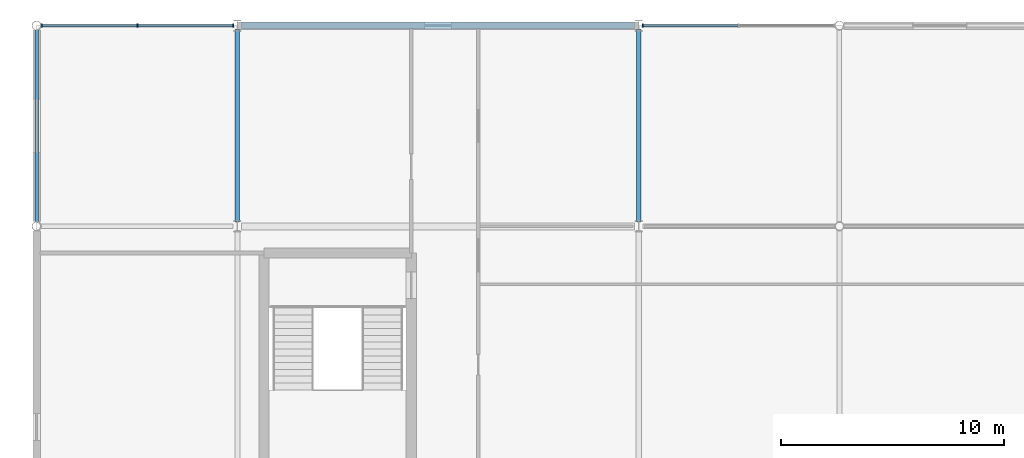
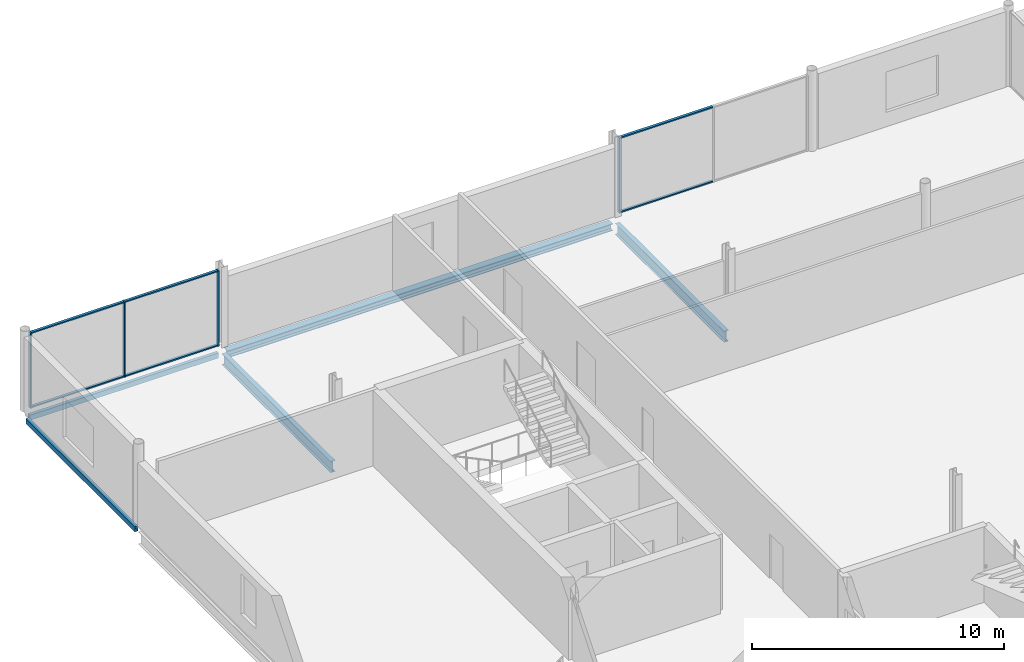
# One storey, part 33 of 96: 10 members, 5 beams, 2 elements without a shape of their own.
"""IFC4 building model written with IfcOpenShell, lengths in metres."""

from ifc_helpers import new_model, si_unit, direction, frame, origin, origin_2d, place, context, subcontext, project, spatial, rectangle, hollow_rectangle, i_section, extrude, material, layer, layer_set, material_profile, profile_set, type_object, element, aggregate, save


model = new_model("IFC4")

# Units and contexts
model_context = context("Model", 3, precision=1e-05, world=origin(), true_north=direction((0.0, 1.0)))
body_context = subcontext(model_context, "Body", "Model", "MODEL_VIEW")
ifc_project = project(units=[si_unit("LENGTHUNIT", "METRE"), si_unit("AREAUNIT", "SQUARE_METRE"), si_unit("VOLUMEUNIT", "CUBIC_METRE"), si_unit("PLANEANGLEUNIT", "RADIAN"), si_unit("MASSUNIT", "GRAM", prefix="KILO")], contexts=[model_context])

# Site, building, storey
site_placement = place(None, origin())
site = spatial("IfcSite", under=ifc_project, at=site_placement, CompositionType="ELEMENT")
building_placement = place(site_placement, origin())
building = spatial("IfcBuilding", under=site, at=building_placement, Name="Kisiwana Market Hall", CompositionType="ELEMENT")
storey_placement = place(building_placement, frame((0.0, 0.0, 25.5)))
storey = spatial("IfcBuildingStorey", under=building, at=storey_placement, Name="L05", CompositionType="ELEMENT", Elevation=25.5)

# Beams
ifc_material_1 = material(Name="Steel S355", Category="steel")
ifc_material_profile_1 = material_profile(ifc_material_1, i_section(OverallWidth=0.209228515625, OverallDepth=0.533203125, WebThickness=0.010009765625, FlangeThickness=0.015625, at=origin_2d()), Name="UB 533x210x92")
ifc_profile_set_1 = profile_set([ifc_material_profile_1], Name="Steel S355")
beam_type_1 = type_object("IfcBeamType", Name="BM-GIRD-UB533", PredefinedType="BEAM", material=ifc_profile_set_1)
for number, where, z_axis, x_axis, name in (
    (1, (9.0, 102.1865234375, -0.58154296875), (0.0, 1.0, 0.0), (-1.0, 0.0, 0.0), "Primary girder B-1526"),
    (2, (27.0, 102.1865234375, -0.58154296875), (0.0, 1.0, 0.0), (-1.0, 0.0, 0.0), "Primary girder B-1530"),
):
    element("IfcBeam", number, at=place(storey_placement, frame(where, z_axis=z_axis, x_axis=x_axis)), inside=storey, type_object=beam_type_1, Name=name, PredefinedType="BEAM", context=body_context, shape_type="SweptSolid", body=[
        extrude(i_section(OverallWidth=0.209228515625, OverallDepth=0.533203125, WebThickness=0.010009765625, FlangeThickness=0.015625, at=origin_2d()), origin(), (0.0, 0.0, 1.0), 8.626953125),
    ])
ifc_material_2 = material(Name="Steel S355", Category="steel")
ifc_material_profile_2 = material_profile(ifc_material_2, i_section(OverallWidth=0.314453125, OverallDepth=0.33984375, WebThickness=0.01904296875, FlangeThickness=0.031494140625, at=origin_2d()), Name="UC 305x305x198")
ifc_profile_set_2 = profile_set([ifc_material_profile_2], Name="Steel S355")
beam_type_2 = type_object("IfcBeamType", Name="BM-SKYBR-CHORD", PredefinedType="BEAM", material=ifc_profile_set_2)
beam_1_placement = place(storey_placement, frame((9.193359375, 111.0, -0.48486328125), z_axis=(1.0, 0.0, 0.0), x_axis=(0.0, 1.0, 0.0)))
element("IfcBeam", 3, at=beam_1_placement, inside=storey, type_object=beam_type_2, Name="Floor beam B-1662", PredefinedType="BEAM", context=body_context, shape_type="SweptSolid", body=[
    extrude(i_section(OverallWidth=0.314453125, OverallDepth=0.33984375, WebThickness=0.01904296875, FlangeThickness=0.031494140625, at=origin_2d()), origin(), (0.0, 0.0, 1.0), 17.61328125),
])
ifc_material_3 = material(Name="Steel S355", Category="steel")
ifc_material_profile_3 = material_profile(ifc_material_3, hollow_rectangle(XDim=0.14990234375, YDim=0.25, WallThickness=0.010009765625, at=origin_2d()), Name="RHS 250x150x10.0")
ifc_profile_set_3 = profile_set([ifc_material_profile_3], Name="Steel S355")
beam_type_3 = type_object("IfcBeamType", Name="BM-SPAN-RHS250", PredefinedType="SPANDREL", material=ifc_profile_set_3)
beam_2_placement = place(storey_placement, frame((0.182373046875, 111.0, -0.43994140625), z_axis=(1.0, 0.0, 0.0), x_axis=(0.0, 1.0, 0.0)))
element("IfcBeam", 4, at=beam_2_placement, inside=storey, type_object=beam_type_3, Name="Floor beam B-1661", PredefinedType="SPANDREL", context=body_context, shape_type="SweptSolid", body=[
    extrude(hollow_rectangle(XDim=0.14990234375, YDim=0.25, WallThickness=0.010009765625, at=origin_2d()), origin(), (0.0, 0.0, 1.0), 8.624267578125),
])
beam_3_placement = place(storey_placement, frame((0.0, 102.18017578125, -0.43994140625), z_axis=(0.0, 1.0, 0.0), x_axis=(-1.0, 0.0, 0.0)))
element("IfcBeam", 5, at=beam_3_placement, inside=storey, type_object=beam_type_3, Name="Floor beam B-1674", PredefinedType="SPANDREL", context=body_context, shape_type="SweptSolid", body=[
    extrude(hollow_rectangle(XDim=0.14990234375, YDim=0.25, WallThickness=0.010009765625, at=origin_2d()), origin(), (0.0, 0.0, 1.0), 8.6396484375),
])

# Curtain wall, members
ifc_material_4 = material(Name="Double-glazed solar-control low-E IGU", Category="glass")
ifc_layer = layer(ifc_material_4, 0.159912109375)
ifc_layer_set = layer_set([ifc_layer], Name="CW-ZNA-EW-8200")
curtain_wall_type = type_object("IfcCurtainWallType", Name="CW-ZNA-EW-8200", PredefinedType="USERDEFINED", material=ifc_layer_set)
curtain_wall_1_placement = place(storey_placement, origin())
curtain_wall_1 = element("IfcCurtainWall", 6, at=curtain_wall_1_placement, inside=storey, type_object=curtain_wall_type, Name="Unitised curtain wall CW-156 (L05)", ObjectType="UNITISED CURTAIN WALL", PredefinedType="USERDEFINED")
ifc_material_5 = material(Name="Aluminium alloy 6063-T6", Category="aluminium")
ifc_material_profile_4 = material_profile(ifc_material_5, rectangle(XDim=0.06005859375, YDim=0.159912109375, at=origin_2d()), Name="ALU MULLION 60x160")
ifc_profile_set_4 = profile_set([ifc_material_profile_4], Name="Aluminium alloy 6063-T6")
member_type_1 = type_object("IfcMemberType", Name="CW-MULL-60x160", PredefinedType="MULLION", material=ifc_profile_set_4)
member_1_placement = place(storey_placement, frame((0.233154296875, 111.0, 0.0), z_axis=(0.0, 0.0, 1.0), x_axis=(1.0, 0.0, 0.0)))
member_1 = element("IfcMember", 7, at=member_1_placement, type_object=member_type_1, Name="CW-156 mullion 1", PredefinedType="MULLION", context=body_context, shape_type="SweptSolid", body=[
    extrude(rectangle(XDim=0.06005859375, YDim=0.159912109375, at=origin_2d()), origin(), (0.0, 0.0, 1.0), 3.655029296875),
])
member_2_placement = place(storey_placement, frame((4.526611328125, 111.0, 0.0), z_axis=(0.0, 0.0, 1.0), x_axis=(1.0, 0.0, 0.0)))
member_2 = element("IfcMember", 8, at=member_2_placement, type_object=member_type_1, Name="CW-156 mullion 2", PredefinedType="MULLION", context=body_context, shape_type="SweptSolid", body=[
    extrude(rectangle(XDim=0.06005859375, YDim=0.159912109375, at=origin_2d()), origin(), (0.0, 0.0, 1.0), 3.655029296875),
])
member_3_placement = place(storey_placement, frame((8.820068359375, 111.0, 0.0), z_axis=(0.0, 0.0, 1.0), x_axis=(1.0, 0.0, 0.0)))
member_3 = element("IfcMember", 9, at=member_3_placement, type_object=member_type_1, Name="CW-156 mullion 3", PredefinedType="MULLION", context=body_context, shape_type="SweptSolid", body=[
    extrude(rectangle(XDim=0.06005859375, YDim=0.159912109375, at=origin_2d()), origin(), (0.0, 0.0, 1.0), 3.655029296875),
])

# Curtain wall, member
curtain_wall_2_placement = place(storey_placement, origin())
curtain_wall_2 = element("IfcCurtainWall", 10, at=curtain_wall_2_placement, inside=storey, type_object=curtain_wall_type, Name="Unitised curtain wall CW-157 (L05)", ObjectType="UNITISED CURTAIN WALL", PredefinedType="USERDEFINED")
member_4_placement = place(storey_placement, frame((27.179931640625, 111.0, 0.0), z_axis=(0.0, 0.0, 1.0), x_axis=(1.0, 0.0, 0.0)))
member_4 = element("IfcMember", 11, at=member_4_placement, type_object=member_type_1, Name="CW-157 mullion 1", PredefinedType="MULLION", context=body_context, shape_type="SweptSolid", body=[
    extrude(rectangle(XDim=0.06005859375, YDim=0.159912109375, at=origin_2d()), origin(), (0.0, 0.0, 1.0), 3.655029296875),
])

# Member
ifc_material_6 = material(Name="Aluminium alloy 6063-T6", Category="aluminium")
ifc_material_profile_5 = material_profile(ifc_material_6, rectangle(XDim=0.1201171875, YDim=0.06005859375, at=origin_2d()), Name="ALU TRANSOM 60x120")
ifc_profile_set_5 = profile_set([ifc_material_profile_5], Name="Aluminium alloy 6063-T6")
member_type_2 = type_object("IfcMemberType", Name="CW-TRAN-60x120", PredefinedType="USERDEFINED", material=ifc_profile_set_5)
member_5_placement = place(storey_placement, frame((0.26318359375, 111.0, 0.030029296875), z_axis=(1.0, 0.0, 0.0), x_axis=(0.0, 1.0, 0.0)))
member_5 = element("IfcMember", 12, at=member_5_placement, type_object=member_type_2, Name="CW-156 transom 1.1", ObjectType="TRANSOM", PredefinedType="USERDEFINED", context=body_context, shape_type="SweptSolid", body=[
    extrude(rectangle(XDim=0.1201171875, YDim=0.06005859375, at=origin_2d()), origin(), (0.0, 0.0, 1.0), 4.2333984375),
])

member_6_placement = place(storey_placement, frame((0.26318359375, 111.0, 3.625), z_axis=(1.0, 0.0, 0.0), x_axis=(0.0, 1.0, 0.0)))
member_6 = element("IfcMember", 13, at=member_6_placement, type_object=member_type_2, Name="CW-156 transom 1.2", ObjectType="TRANSOM", PredefinedType="USERDEFINED", context=body_context, shape_type="SweptSolid", body=[
    extrude(rectangle(XDim=0.1201171875, YDim=0.06005859375, at=origin_2d()), origin(), (0.0, 0.0, 1.0), 4.2333984375),
])

member_7_placement = place(storey_placement, frame((4.556640625, 111.0, 0.030029296875), z_axis=(1.0, 0.0, 0.0), x_axis=(0.0, 1.0, 0.0)))
member_7 = element("IfcMember", 14, at=member_7_placement, type_object=member_type_2, Name="CW-156 transom 2.1", ObjectType="TRANSOM", PredefinedType="USERDEFINED", context=body_context, shape_type="SweptSolid", body=[
    extrude(rectangle(XDim=0.1201171875, YDim=0.06005859375, at=origin_2d()), origin(), (0.0, 0.0, 1.0), 4.2333984375),
])

member_8_placement = place(storey_placement, frame((4.556640625, 111.0, 3.625), z_axis=(1.0, 0.0, 0.0), x_axis=(0.0, 1.0, 0.0)))
member_8 = element("IfcMember", 15, at=member_8_placement, type_object=member_type_2, Name="CW-156 transom 2.2", ObjectType="TRANSOM", PredefinedType="USERDEFINED", context=body_context, shape_type="SweptSolid", body=[
    extrude(rectangle(XDim=0.1201171875, YDim=0.06005859375, at=origin_2d()), origin(), (0.0, 0.0, 1.0), 4.2333984375),
])

aggregate(curtain_wall_1, [member_1, member_2, member_3, member_5, member_6, member_7, member_8])

member_9_placement = place(storey_placement, frame((27.2099609375, 111.0, 0.030029296875), z_axis=(1.0, 0.0, 0.0), x_axis=(0.0, 1.0, 0.0)))
member_9 = element("IfcMember", 16, at=member_9_placement, type_object=member_type_2, Name="CW-157 transom 1.1", ObjectType="TRANSOM", PredefinedType="USERDEFINED", context=body_context, shape_type="SweptSolid", body=[
    extrude(rectangle(XDim=0.1201171875, YDim=0.06005859375, at=origin_2d()), origin(), (0.0, 0.0, 1.0), 4.2333984375),
])

member_10_placement = place(storey_placement, frame((27.2099609375, 111.0, 3.625), z_axis=(1.0, 0.0, 0.0), x_axis=(0.0, 1.0, 0.0)))
member_10 = element("IfcMember", 17, at=member_10_placement, type_object=member_type_2, Name="CW-157 transom 1.2", ObjectType="TRANSOM", PredefinedType="USERDEFINED", context=body_context, shape_type="SweptSolid", body=[
    extrude(rectangle(XDim=0.1201171875, YDim=0.06005859375, at=origin_2d()), origin(), (0.0, 0.0, 1.0), 4.2333984375),
])

aggregate(curtain_wall_2, [member_4, member_9, member_10])

save(model, "model.ifc")
